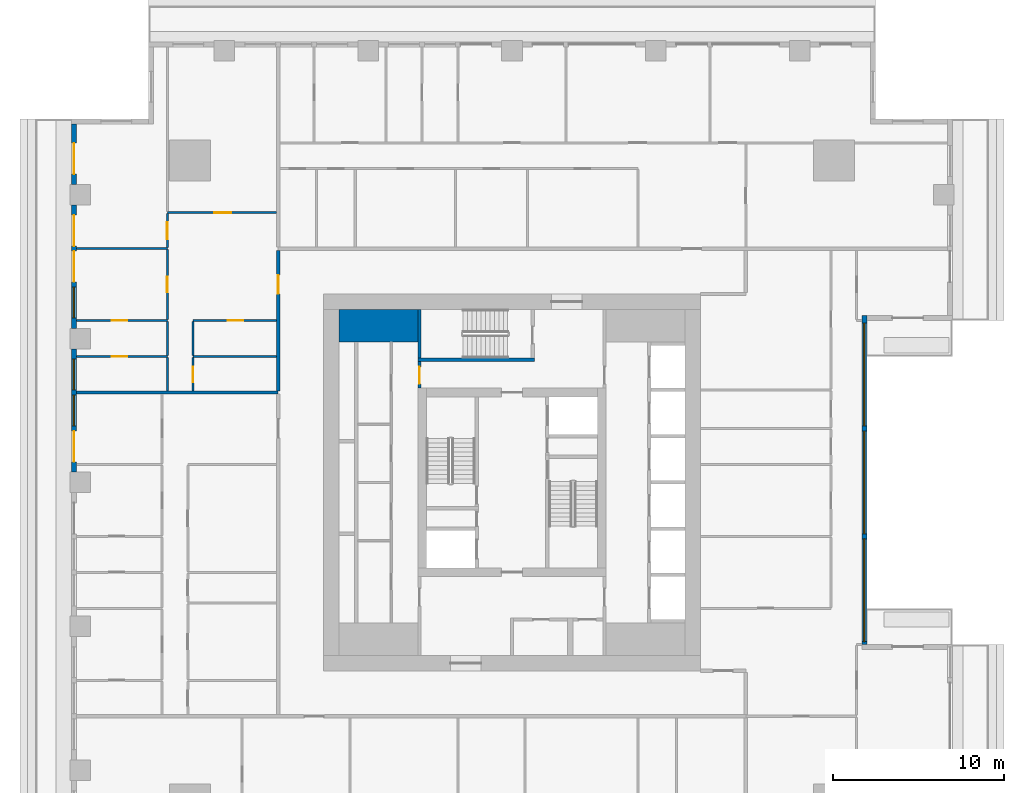
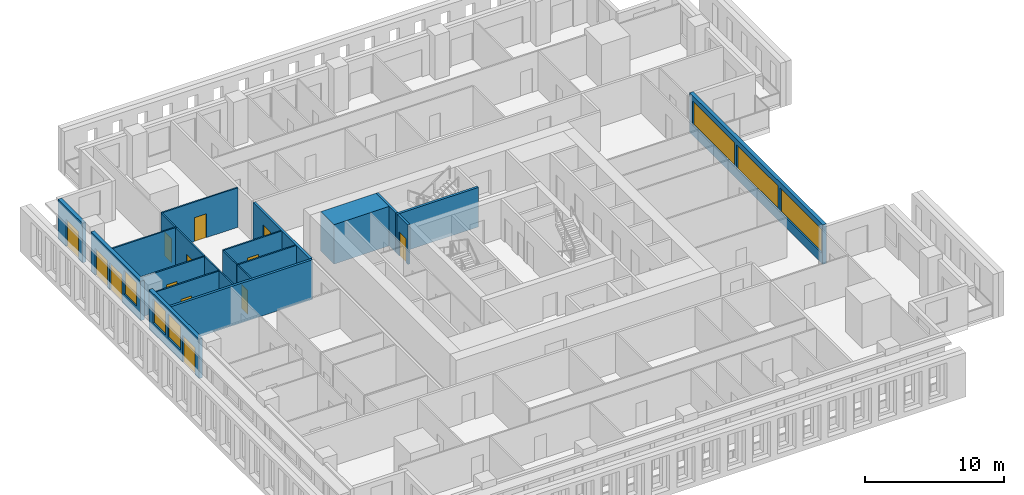
# One storey, part 6 of 15: 22 walls, 13 doors, 6 windows, 19 openings.
"""IFC4 building model written with IfcOpenShell, lengths in metres."""

from ifc_helpers import new_model, si_unit, direction, frame, frame_2d, origin, place, context, subcontext, project, spatial, rectangle, extrude, material, layer, layer_set, type_object, element, fill, save


model = new_model("IFC4")

# Units and contexts
model_context = context("Model", 3, precision=1e-05, world=origin(), true_north=direction((0.0, 1.0)))
body_context = subcontext(model_context, "Body", "Model", "MODEL_VIEW")
ifc_project = project(units=[si_unit("LENGTHUNIT", "METRE"), si_unit("AREAUNIT", "SQUARE_METRE"), si_unit("VOLUMEUNIT", "CUBIC_METRE"), si_unit("PLANEANGLEUNIT", "RADIAN"), si_unit("MASSUNIT", "GRAM", prefix="KILO")], contexts=[model_context])

# Site, building, storey
site_placement = place(None, origin())
site = spatial("IfcSite", under=ifc_project, at=site_placement, CompositionType="ELEMENT")
building_placement = place(site_placement, origin())
building = spatial("IfcBuilding", under=site, at=building_placement, Name="Khepri Terraces", CompositionType="ELEMENT")
storey_placement = place(building_placement, frame((0.0, 0.0, 211.800048828125)))
storey = spatial("IfcBuildingStorey", under=building, at=storey_placement, Name="L50", CompositionType="ELEMENT", Elevation=211.800048828125)

# Walls
ifc_material_1 = material(Name="Concrete C50/60", Category="concrete")
ifc_layer_1 = layer(ifc_material_1, 1.89990234375, Name="Concrete C50/60", Category="concrete")
ifc_layer_set_1 = layer_set([ifc_layer_1], Name="Concrete C50/60")
wall_type_1 = type_object("IfcWallType", Name="Core wall 1900 C50/60", PredefinedType="SHEAR", material=ifc_layer_set_1)
wall_1_placement = place(storey_placement, frame((-10.10009765625, 9.14990234375, 0.0), z_axis=(0.0, 0.0, 1.0), x_axis=(1.0, 0.0, 0.0)))
element("IfcWall", 1, at=wall_1_placement, inside=storey, type_object=wall_type_1, Name="Core wall PR03 L50", PredefinedType="SHEAR", context=body_context, shape_type="SweptSolid", body=[
    extrude(rectangle(XDim=4.60009765625, YDim=1.89990234375, at=frame_2d((2.300048828125, 0.0))), origin(), (0.0, 0.0, 1.0), 3.47998046875),
])
ifc_layer_2 = layer(ifc_material_1, 0.199951171875, Name="Concrete C50/60", Category="concrete")
ifc_layer_set_2 = layer_set([ifc_layer_2], Name="Concrete C50/60")
wall_type_2 = type_object("IfcWallType", Name="Core wall 200 C50/60", PredefinedType="SHEAR", material=ifc_layer_set_2)
wall_2_placement = place(storey_placement, frame((-5.5, 7.14990234375, 0.0), z_axis=(0.0, 0.0, 1.0), x_axis=(1.0, 0.0, 0.0)))
element("IfcWall", 2, at=wall_2_placement, inside=storey, type_object=wall_type_2, Name="Core wall ST05 L50", PredefinedType="SHEAR", context=body_context, shape_type="SweptSolid", body=[
    extrude(rectangle(XDim=6.800048828125, YDim=0.199951171875, at=frame_2d((3.39990234375, 0.0))), origin(), (0.0, 0.0, 1.0), 3.47998046875),
])
wall_3_placement = place(storey_placement, frame((-5.39990234375, 7.25, 0.0), z_axis=(0.0, 0.0, 1.0), x_axis=(0.0, 1.0, 0.0)))
element("IfcWall", 3, at=wall_3_placement, inside=storey, type_object=wall_type_2, Name="Core wall ST06 L50", PredefinedType="SHEAR", context=body_context, shape_type="SweptSolid", body=[
    extrude(rectangle(XDim=2.85009765625, YDim=0.199951171875, at=frame_2d((1.425048828125, 0.0))), origin(), (0.0, 0.0, 1.0), 3.47998046875),
])

# Wall, opening, door
ifc_material_2 = material(Name="Fire-rated gypsum board partition")
ifc_layer_3 = layer(ifc_material_2, 0.199951171875, Name="Fire-rated gypsum board partition")
ifc_layer_set_3 = layer_set([ifc_layer_3], Name="Fire-rated gypsum board partition")
wall_type_3 = type_object("IfcWallType", Name="WL-CORE-PART-200", PredefinedType="PARTITIONING", material=ifc_layer_set_3)
wall_4_placement = place(storey_placement, frame((-5.39990234375, 5.5, 0.0), z_axis=(0.0, 0.0, 1.0), x_axis=(0.0, 1.0, 0.0)))
wall_4 = element("IfcWall", 4, at=wall_4_placement, inside=storey, type_object=wall_type_3, Name="Core partition PT11 L50", PredefinedType="PARTITIONING", context=body_context, shape_type="SweptSolid", body=[
    extrude(rectangle(XDim=1.550048828125, YDim=0.199951171875, at=frame_2d((0.77490234375, 0.0))), origin(), (0.0, 0.0, 1.0), 3.47998046875),
])
opening_1_placement = place(wall_4_placement, frame((0.25, 0.0, 0.0)))
opening_1 = element("IfcOpeningElement", 5, at=opening_1_placement, cuts=wall_4, Name="Opening L50-C16", PredefinedType="OPENING", context=body_context, shape_type="SweptSolid", body=[
    extrude(rectangle(XDim=1.0, YDim=2.10009765625, at=frame_2d((0.5, 1.050048828125))), frame((0.0, 0.10986328125, 0.0), z_axis=(0.0, -1.0, 0.0), x_axis=(1.0, 0.0, 0.0)), (0.0, 0.0, 1.0), 0.219970703125),
])
ifc_material_3 = material(Name="Painted steel", Category="steel")
door_type_1 = type_object("IfcDoorType", Name="DR-CORE-LOBBY-1000", OperationType="NOTDEFINED", PredefinedType="DOOR", material=ifc_material_3)
door_1_placement = place(opening_1_placement, frame((1.0, 0.0, 0.0), z_axis=(0.0, 0.0, 1.0), x_axis=(-1.0, 0.0, 0.0)))
door_1 = element("IfcDoor", 6, at=door_1_placement, inside=storey, type_object=door_type_1, Name="Lobby door L50-C16", OperationType="SINGLE_SWING_RIGHT", OverallHeight=2.10009765625, OverallWidth=1.0, PredefinedType="DOOR", context=body_context, shape_type="SweptSolid", body=[
    extrude(rectangle(XDim=1.0, YDim=2.10009765625, at=frame_2d((0.5, 1.050048828125))), frame((0.0, 0.02490234375, 0.0), z_axis=(0.0, -1.0, 0.0), x_axis=(1.0, 0.0, 0.0)), (0.0, 0.0, 1.0), 0.050048828125),
])
fill(opening_1, door_1)

# Wall
ifc_material_4 = material(Name="Fire-rated gypsum plasterboard partition, mineral wool")
ifc_layer_4 = layer(ifc_material_4, 0.199951171875, Name="Fire-rated gypsum plasterboard partition, mineral wool")
ifc_layer_set_4 = layer_set([ifc_layer_4], Name="Fire-rated gypsum plasterboard partition, mineral wool")
wall_type_4 = type_object("IfcWallType", Name="WL-CORR-200", PredefinedType="PARTITIONING", material=ifc_layer_set_4)
wall_5_placement = place(storey_placement, frame((-25.419921875, 5.25, 0.0), z_axis=(0.0, 0.0, 1.0), x_axis=(1.0, 0.0, 0.0)))
element("IfcWall", 7, at=wall_5_placement, inside=storey, type_object=wall_type_4, Name="Partition P-052 L50", PredefinedType="PARTITIONING", context=body_context, shape_type="SweptSolid", body=[
    extrude(rectangle(XDim=11.77001953125, YDim=0.199951171875, at=frame_2d((5.885009765625, 0.0))), origin(), (0.0, 0.0, 1.0), 3.47998046875),
])

# Wall, opening, door
wall_6_placement = place(storey_placement, frame((-13.64990234375, 5.35009765625, 0.0), z_axis=(0.0, 0.0, 1.0), x_axis=(0.0, 1.0, 0.0)))
wall_6 = element("IfcWall", 8, at=wall_6_placement, inside=storey, type_object=wall_type_4, Name="Partition P-055 L50", PredefinedType="PARTITIONING", context=body_context, shape_type="SweptSolid", body=[
    extrude(rectangle(XDim=8.199951171875, YDim=0.199951171875, at=frame_2d((4.10009765625, 0.0))), origin(), (0.0, 0.0, 1.0), 3.47998046875),
])
opening_2_placement = place(wall_6_placement, frame((5.64990234375, 0.0, 0.0)))
opening_2 = element("IfcOpeningElement", 9, at=opening_2_placement, cuts=wall_6, Name="Opening D1", PredefinedType="OPENING", context=body_context, shape_type="SweptSolid", body=[
    extrude(rectangle(XDim=1.10009765625, YDim=2.39990234375, at=frame_2d((0.550048828125, 1.199951171875))), frame((0.0, 0.10986328125, 0.0), z_axis=(0.0, -1.0, 0.0), x_axis=(1.0, 0.0, 0.0)), (0.0, 0.0, 1.0), 0.219970703125),
])
ifc_material_5 = material(Name="Solid-core timber door leaf, flat entrance door", Category="wood")
door_type_2 = type_object("IfcDoorType", Name="DR-ENT-1100", OperationType="NOTDEFINED", PredefinedType="DOOR", material=ifc_material_5)
door_2_placement = place(opening_2_placement, origin())
door_2 = element("IfcDoor", 10, at=door_2_placement, inside=storey, type_object=door_type_2, Name="Flat D1 entrance door", OperationType="SINGLE_SWING_RIGHT", OverallHeight=2.39990234375, OverallWidth=1.10009765625, PredefinedType="DOOR", context=body_context, shape_type="SweptSolid", body=[
    extrude(rectangle(XDim=1.10009765625, YDim=2.39990234375, at=frame_2d((0.550048828125, 1.199951171875))), frame((0.0, 0.02490234375, 0.0), z_axis=(0.0, -1.0, 0.0), x_axis=(1.0, 0.0, 0.0)), (0.0, 0.0, 1.0), 0.050048828125),
])
fill(opening_2, door_2)

# Wall, openings, windows
ifc_material_6 = material(Name="Precast concrete C50/60 warm stone", Category="masonry")
ifc_layer_5 = layer(ifc_material_6, 0.300048828125, Name="Precast concrete C50/60 warm stone", Category="masonry")
ifc_layer_set_5 = layer_set([ifc_layer_5], Name="Precast concrete C50/60 warm stone")
wall_type_5 = type_object("IfcWallType", Name="WL-EXT-PRECAST-300", PredefinedType="STANDARD", material=ifc_layer_set_5)
wall_7_placement = place(storey_placement, frame((20.570068359375, -9.449951171875, 0.0), z_axis=(0.0, 0.0, 1.0), x_axis=(0.0, 1.0, 0.0)))
wall_7 = element("IfcWall", 11, at=wall_7_placement, inside=storey, type_object=wall_type_5, Name="External wall L50 E", PredefinedType="STANDARD", context=body_context, shape_type="SweptSolid", body=[
    extrude(rectangle(XDim=19.199951171875, YDim=0.300048828125, at=frame_2d((9.60009765625, 0.0))), origin(), (0.0, 0.0, 1.0), 3.47998046875),
])
opening_3_placement = place(wall_7_placement, frame((0.14990234375, 0.0, 0.89990234375)))
opening_3 = element("IfcOpeningElement", 12, at=opening_3_placement, cuts=wall_7, Name="Opening W3", PredefinedType="OPENING", context=body_context, shape_type="SweptSolid", body=[
    extrude(rectangle(XDim=6.0, YDim=2.10009765625, at=frame_2d((3.0, 1.050048828125))), frame((0.0, 0.16015625, 0.0), z_axis=(0.0, -1.0, 0.0), x_axis=(1.0, 0.0, 0.0)), (0.0, 0.0, 1.0), 0.320068359375),
])
opening_4_placement = place(wall_7_placement, frame((6.449951171875, 0.0, 0.89990234375)))
opening_4 = element("IfcOpeningElement", 13, at=opening_4_placement, cuts=wall_7, Name="Opening W3", PredefinedType="OPENING", context=body_context, shape_type="SweptSolid", body=[
    extrude(rectangle(XDim=6.0, YDim=2.10009765625, at=frame_2d((3.0, 1.050048828125))), frame((0.0, 0.16015625, 0.0), z_axis=(0.0, -1.0, 0.0), x_axis=(1.0, 0.0, 0.0)), (0.0, 0.0, 1.0), 0.320068359375),
])
opening_5_placement = place(wall_7_placement, frame((12.75, 0.0, 0.89990234375)))
opening_5 = element("IfcOpeningElement", 14, at=opening_5_placement, cuts=wall_7, Name="Opening W3", PredefinedType="OPENING", context=body_context, shape_type="SweptSolid", body=[
    extrude(rectangle(XDim=6.0, YDim=2.10009765625, at=frame_2d((3.0, 1.050048828125))), frame((0.0, 0.16015625, 0.0), z_axis=(0.0, -1.0, 0.0), x_axis=(1.0, 0.0, 0.0)), (0.0, 0.0, 1.0), 0.320068359375),
])
ifc_material_7 = material(Name="Clear glass", Category="glass")
window_type_1 = type_object("IfcWindowType", Name="WIN-RES-6000x2100", PartitioningType="SINGLE_PANEL", PredefinedType="WINDOW", material=ifc_material_7)
window_1_placement = place(opening_3_placement, origin())
window_1 = element("IfcWindow", 15, at=window_1_placement, inside=storey, type_object=window_type_1, Name="Window L50 E", OverallHeight=2.10009765625, OverallWidth=6.0, PartitioningType="SINGLE_PANEL", PredefinedType="WINDOW", context=body_context, shape_type="SweptSolid", body=[
    extrude(rectangle(XDim=6.0, YDim=2.10009765625, at=frame_2d((3.0, 1.050048828125))), frame((0.0, 0.030029296875, 0.0), z_axis=(0.0, -1.0, 0.0), x_axis=(1.0, 0.0, 0.0)), (0.0, 0.0, 1.0), 0.06005859375),
])
fill(opening_3, window_1)
window_2_placement = place(opening_4_placement, origin())
window_2 = element("IfcWindow", 16, at=window_2_placement, inside=storey, type_object=window_type_1, Name="Window L50 E", OverallHeight=2.10009765625, OverallWidth=6.0, PartitioningType="SINGLE_PANEL", PredefinedType="WINDOW", context=body_context, shape_type="SweptSolid", body=[
    extrude(rectangle(XDim=6.0, YDim=2.10009765625, at=frame_2d((3.0, 1.050048828125))), frame((0.0, 0.030029296875, 0.0), z_axis=(0.0, -1.0, 0.0), x_axis=(1.0, 0.0, 0.0)), (0.0, 0.0, 1.0), 0.06005859375),
])
fill(opening_4, window_2)
window_3_placement = place(opening_5_placement, origin())
window_3 = element("IfcWindow", 17, at=window_3_placement, inside=storey, type_object=window_type_1, Name="Window L50 E", OverallHeight=2.10009765625, OverallWidth=6.0, PartitioningType="SINGLE_PANEL", PredefinedType="WINDOW", context=body_context, shape_type="SweptSolid", body=[
    extrude(rectangle(XDim=6.0, YDim=2.10009765625, at=frame_2d((3.0, 1.050048828125))), frame((0.0, 0.030029296875, 0.0), z_axis=(0.0, -1.0, 0.0), x_axis=(1.0, 0.0, 0.0)), (0.0, 0.0, 1.0), 0.06005859375),
])
fill(opening_5, window_3)

# Wall, opening, door
wall_8_placement = place(storey_placement, frame((-25.570068359375, 20.919921875, 0.0), z_axis=(0.0, 0.0, 1.0), x_axis=(0.0, -1.0, 0.0)))
wall_8 = element("IfcWall", 18, at=wall_8_placement, inside=storey, type_object=wall_type_5, Name="External wall L50 W", PredefinedType="STANDARD", context=body_context, shape_type="SweptSolid", body=[
    extrude(rectangle(XDim=3.52001953125, YDim=0.300048828125, at=frame_2d((1.760009765625, 0.0))), origin(), (0.0, 0.0, 1.0), 3.47998046875),
])
opening_6_placement = place(wall_8_placement, frame((1.1201171875, 0.0, 0.0)))
opening_6 = element("IfcOpeningElement", 19, at=opening_6_placement, cuts=wall_8, Name="Opening ED-L50-12", PredefinedType="OPENING", context=body_context, shape_type="SweptSolid", body=[
    extrude(rectangle(XDim=1.800048828125, YDim=2.39990234375, at=frame_2d((0.89990234375, 1.199951171875))), frame((0.0, 0.16015625, 0.0), z_axis=(0.0, -1.0, 0.0), x_axis=(1.0, 0.0, 0.0)), (0.0, 0.0, 1.0), 0.320068359375),
])
ifc_material_8 = material(Name="Anodised aluminium bronze glazed door", Category="aluminium")
door_type_3 = type_object("IfcDoorType", Name="DR-BAL-SLIDE-1800x2400", OperationType="NOTDEFINED", PredefinedType="DOOR", material=ifc_material_8)
door_3_placement = place(opening_6_placement, origin())
door_3 = element("IfcDoor", 20, at=door_3_placement, inside=storey, type_object=door_type_3, Name="Balcony door L50 W", OperationType="SLIDING_TO_RIGHT", OverallHeight=2.39990234375, OverallWidth=1.800048828125, PredefinedType="DOOR", context=body_context, shape_type="SweptSolid", body=[
    extrude(rectangle(XDim=1.800048828125, YDim=2.39990234375, at=frame_2d((0.89990234375, 1.199951171875))), frame((0.0, 0.02490234375, 0.0), z_axis=(0.0, -1.0, 0.0), x_axis=(1.0, 0.0, 0.0)), (0.0, 0.0, 1.0), 0.050048828125),
])
fill(opening_6, door_3)

# Wall, openings, doors, window
wall_9_placement = place(storey_placement, frame((-25.570068359375, 16.199951171875, 0.0), z_axis=(0.0, 0.0, 1.0), x_axis=(0.0, -1.0, 0.0)))
wall_9 = element("IfcWall", 21, at=wall_9_placement, inside=storey, type_object=wall_type_5, Name="External wall L50 W", PredefinedType="STANDARD", context=body_context, shape_type="SweptSolid", body=[
    extrude(rectangle(XDim=7.199951171875, YDim=0.300048828125, at=frame_2d((3.60009765625, 0.0))), origin(), (0.0, 0.0, 1.0), 3.47998046875),
])
opening_7_placement = place(wall_9_placement, frame((0.60009765625, 0.0, 0.0)))
opening_7 = element("IfcOpeningElement", 22, at=opening_7_placement, cuts=wall_9, Name="Opening ED-L50-13", PredefinedType="OPENING", context=body_context, shape_type="SweptSolid", body=[
    extrude(rectangle(XDim=1.800048828125, YDim=2.39990234375, at=frame_2d((0.89990234375, 1.199951171875))), frame((0.0, 0.16015625, 0.0), z_axis=(0.0, -1.0, 0.0), x_axis=(1.0, 0.0, 0.0)), (0.0, 0.0, 1.0), 0.320068359375),
])
opening_8_placement = place(wall_9_placement, frame((2.699951171875, 0.0, 0.0)))
opening_8 = element("IfcOpeningElement", 23, at=opening_8_placement, cuts=wall_9, Name="Opening ED-L50-14", PredefinedType="OPENING", context=body_context, shape_type="SweptSolid", body=[
    extrude(rectangle(XDim=1.800048828125, YDim=2.39990234375, at=frame_2d((0.89990234375, 1.199951171875))), frame((0.0, 0.16015625, 0.0), z_axis=(0.0, -1.0, 0.0), x_axis=(1.0, 0.0, 0.0)), (0.0, 0.0, 1.0), 0.320068359375),
])
opening_9_placement = place(wall_9_placement, frame((4.800048828125, 0.0, 0.89990234375)))
opening_9 = element("IfcOpeningElement", 24, at=opening_9_placement, cuts=wall_9, Name="Opening W1", PredefinedType="OPENING", context=body_context, shape_type="SweptSolid", body=[
    extrude(rectangle(XDim=1.800048828125, YDim=2.10009765625, at=frame_2d((0.89990234375, 1.050048828125))), frame((0.0, 0.16015625, 0.0), z_axis=(0.0, -1.0, 0.0), x_axis=(1.0, 0.0, 0.0)), (0.0, 0.0, 1.0), 0.320068359375),
])
door_4_placement = place(opening_7_placement, origin())
door_4 = element("IfcDoor", 25, at=door_4_placement, inside=storey, type_object=door_type_3, Name="Balcony door L50 W", OperationType="SLIDING_TO_LEFT", OverallHeight=2.39990234375, OverallWidth=1.800048828125, PredefinedType="DOOR", context=body_context, shape_type="SweptSolid", body=[
    extrude(rectangle(XDim=1.800048828125, YDim=2.39990234375, at=frame_2d((0.89990234375, 1.199951171875))), frame((0.0, 0.02490234375, 0.0), z_axis=(0.0, -1.0, 0.0), x_axis=(1.0, 0.0, 0.0)), (0.0, 0.0, 1.0), 0.050048828125),
])
fill(opening_7, door_4)
door_5_placement = place(opening_8_placement, origin())
door_5 = element("IfcDoor", 26, at=door_5_placement, inside=storey, type_object=door_type_3, Name="Balcony door L50 W", OperationType="SLIDING_TO_RIGHT", OverallHeight=2.39990234375, OverallWidth=1.800048828125, PredefinedType="DOOR", context=body_context, shape_type="SweptSolid", body=[
    extrude(rectangle(XDim=1.800048828125, YDim=2.39990234375, at=frame_2d((0.89990234375, 1.199951171875))), frame((0.0, 0.02490234375, 0.0), z_axis=(0.0, -1.0, 0.0), x_axis=(1.0, 0.0, 0.0)), (0.0, 0.0, 1.0), 0.050048828125),
])
fill(opening_8, door_5)
window_type_2 = type_object("IfcWindowType", Name="WIN-RES-1800x2100", PartitioningType="SINGLE_PANEL", PredefinedType="WINDOW", material=ifc_material_7)
window_4_placement = place(opening_9_placement, origin())
window_4 = element("IfcWindow", 27, at=window_4_placement, inside=storey, type_object=window_type_2, Name="Window L50 W", OverallHeight=2.10009765625, OverallWidth=1.800048828125, PartitioningType="SINGLE_PANEL", PredefinedType="WINDOW", context=body_context, shape_type="SweptSolid", body=[
    extrude(rectangle(XDim=1.800048828125, YDim=2.10009765625, at=frame_2d((0.89990234375, 1.050048828125))), frame((0.0, 0.030029296875, 0.0), z_axis=(0.0, -1.0, 0.0), x_axis=(1.0, 0.0, 0.0)), (0.0, 0.0, 1.0), 0.06005859375),
])
fill(opening_9, window_4)

# Wall, openings, door, windows
wall_10_placement = place(storey_placement, frame((-25.570068359375, 7.800048828125, 0.0), z_axis=(0.0, 0.0, 1.0), x_axis=(0.0, -1.0, 0.0)))
wall_10 = element("IfcWall", 28, at=wall_10_placement, inside=storey, type_object=wall_type_5, Name="External wall L50 W", PredefinedType="STANDARD", context=body_context, shape_type="SweptSolid", body=[
    extrude(rectangle(XDim=7.199951171875, YDim=0.300048828125, at=frame_2d((3.60009765625, 0.0))), origin(), (0.0, 0.0, 1.0), 3.47998046875),
])
opening_10_placement = place(wall_10_placement, frame((0.60009765625, 0.0, 0.89990234375)))
opening_10 = element("IfcOpeningElement", 29, at=opening_10_placement, cuts=wall_10, Name="Opening W1", PredefinedType="OPENING", context=body_context, shape_type="SweptSolid", body=[
    extrude(rectangle(XDim=1.800048828125, YDim=2.10009765625, at=frame_2d((0.89990234375, 1.050048828125))), frame((0.0, 0.16015625, 0.0), z_axis=(0.0, -1.0, 0.0), x_axis=(1.0, 0.0, 0.0)), (0.0, 0.0, 1.0), 0.320068359375),
])
opening_11_placement = place(wall_10_placement, frame((2.699951171875, 0.0, 0.89990234375)))
opening_11 = element("IfcOpeningElement", 30, at=opening_11_placement, cuts=wall_10, Name="Opening W1", PredefinedType="OPENING", context=body_context, shape_type="SweptSolid", body=[
    extrude(rectangle(XDim=1.800048828125, YDim=2.10009765625, at=frame_2d((0.89990234375, 1.050048828125))), frame((0.0, 0.16015625, 0.0), z_axis=(0.0, -1.0, 0.0), x_axis=(1.0, 0.0, 0.0)), (0.0, 0.0, 1.0), 0.320068359375),
])
opening_12_placement = place(wall_10_placement, frame((4.800048828125, 0.0, 0.0)))
opening_12 = element("IfcOpeningElement", 31, at=opening_12_placement, cuts=wall_10, Name="Opening ED-L50-15", PredefinedType="OPENING", context=body_context, shape_type="SweptSolid", body=[
    extrude(rectangle(XDim=1.800048828125, YDim=2.39990234375, at=frame_2d((0.89990234375, 1.199951171875))), frame((0.0, 0.16015625, 0.0), z_axis=(0.0, -1.0, 0.0), x_axis=(1.0, 0.0, 0.0)), (0.0, 0.0, 1.0), 0.320068359375),
])
door_6_placement = place(opening_12_placement, origin())
door_6 = element("IfcDoor", 32, at=door_6_placement, inside=storey, type_object=door_type_3, Name="Balcony door L50 W", OperationType="SLIDING_TO_RIGHT", OverallHeight=2.39990234375, OverallWidth=1.800048828125, PredefinedType="DOOR", context=body_context, shape_type="SweptSolid", body=[
    extrude(rectangle(XDim=1.800048828125, YDim=2.39990234375, at=frame_2d((0.89990234375, 1.199951171875))), frame((0.0, 0.02490234375, 0.0), z_axis=(0.0, -1.0, 0.0), x_axis=(1.0, 0.0, 0.0)), (0.0, 0.0, 1.0), 0.050048828125),
])
fill(opening_12, door_6)
window_5_placement = place(opening_10_placement, origin())
window_5 = element("IfcWindow", 33, at=window_5_placement, inside=storey, type_object=window_type_2, Name="Window L50 W", OverallHeight=2.10009765625, OverallWidth=1.800048828125, PartitioningType="SINGLE_PANEL", PredefinedType="WINDOW", context=body_context, shape_type="SweptSolid", body=[
    extrude(rectangle(XDim=1.800048828125, YDim=2.10009765625, at=frame_2d((0.89990234375, 1.050048828125))), frame((0.0, 0.030029296875, 0.0), z_axis=(0.0, -1.0, 0.0), x_axis=(1.0, 0.0, 0.0)), (0.0, 0.0, 1.0), 0.06005859375),
])
fill(opening_10, window_5)
window_6_placement = place(opening_11_placement, origin())
window_6 = element("IfcWindow", 34, at=window_6_placement, inside=storey, type_object=window_type_2, Name="Window L50 W", OverallHeight=2.10009765625, OverallWidth=1.800048828125, PartitioningType="SINGLE_PANEL", PredefinedType="WINDOW", context=body_context, shape_type="SweptSolid", body=[
    extrude(rectangle(XDim=1.800048828125, YDim=2.10009765625, at=frame_2d((0.89990234375, 1.050048828125))), frame((0.0, 0.030029296875, 0.0), z_axis=(0.0, -1.0, 0.0), x_axis=(1.0, 0.0, 0.0)), (0.0, 0.0, 1.0), 0.06005859375),
])
fill(opening_11, window_6)

# Wall
ifc_material_9 = material(Name="Gypsum plasterboard partition")
ifc_layer_6 = layer(ifc_material_9, 0.1201171875, Name="Gypsum plasterboard partition")
ifc_layer_set_6 = layer_set([ifc_layer_6], Name="Gypsum plasterboard partition")
wall_type_6 = type_object("IfcWallType", Name="WL-PART-120", PredefinedType="PARTITIONING", material=ifc_layer_set_6)
wall_11_placement = place(storey_placement, frame((-20.1201171875, 5.35009765625, 0.0), z_axis=(0.0, 0.0, 1.0), x_axis=(0.0, 1.0, 0.0)))
element("IfcWall", 35, at=wall_11_placement, inside=storey, type_object=wall_type_6, Name="Partition P-053 L50", PredefinedType="PARTITIONING", context=body_context, shape_type="SweptSolid", body=[
    extrude(rectangle(XDim=1.93994140625, YDim=0.1201171875, at=frame_2d((0.969970703125, 0.0))), origin(), (0.0, 0.0, 1.0), 3.47998046875),
])

# Wall, opening, door
wall_12_placement = place(storey_placement, frame((-18.6201171875, 5.35009765625, 0.0), z_axis=(0.0, 0.0, 1.0), x_axis=(0.0, 1.0, 0.0)))
wall_12 = element("IfcWall", 36, at=wall_12_placement, inside=storey, type_object=wall_type_6, Name="Partition P-054 L50", PredefinedType="PARTITIONING", context=body_context, shape_type="SweptSolid", body=[
    extrude(rectangle(XDim=1.93994140625, YDim=0.1201171875, at=frame_2d((0.969970703125, 0.0))), origin(), (0.0, 0.0, 1.0), 3.47998046875),
])
opening_13_placement = place(wall_12_placement, frame((0.5, 0.0, 0.0)))
opening_13 = element("IfcOpeningElement", 37, at=opening_13_placement, cuts=wall_12, Name="Opening D3", PredefinedType="OPENING", context=body_context, shape_type="SweptSolid", body=[
    extrude(rectangle(XDim=0.89990234375, YDim=2.10009765625, at=frame_2d((0.449951171875, 1.050048828125))), frame((0.0, 0.070068359375, 0.0), z_axis=(0.0, -1.0, 0.0), x_axis=(1.0, 0.0, 0.0)), (0.0, 0.0, 1.0), 0.14013671875),
])
ifc_material_10 = material(Name="Timber door leaf", Category="wood")
door_type_4 = type_object("IfcDoorType", Name="DR-INT-900", OperationType="NOTDEFINED", PredefinedType="DOOR", material=ifc_material_10)
door_7_placement = place(opening_13_placement, frame((0.89990234375, 0.0, 0.0), z_axis=(0.0, 0.0, 1.0), x_axis=(-1.0, 0.0, 0.0)))
door_7 = element("IfcDoor", 38, at=door_7_placement, inside=storey, type_object=door_type_4, Name="Door Kitchen", OperationType="SINGLE_SWING_RIGHT", OverallHeight=2.10009765625, OverallWidth=0.89990234375, PredefinedType="DOOR", context=body_context, shape_type="SweptSolid", body=[
    extrude(rectangle(XDim=0.89990234375, YDim=2.10009765625, at=frame_2d((0.449951171875, 1.050048828125))), frame((0.0, 0.02490234375, 0.0), z_axis=(0.0, -1.0, 0.0), x_axis=(1.0, 0.0, 0.0)), (0.0, 0.0, 1.0), 0.050048828125),
])
fill(opening_13, door_7)

wall_13_placement = place(storey_placement, frame((-25.419921875, 7.35009765625, 0.0), z_axis=(0.0, 0.0, 1.0), x_axis=(1.0, 0.0, 0.0)))
wall_13 = element("IfcWall", 39, at=wall_13_placement, inside=storey, type_object=wall_type_6, Name="Partition P-058 L50", PredefinedType="PARTITIONING", context=body_context, shape_type="SweptSolid", body=[
    extrude(rectangle(XDim=5.2998046875, YDim=0.1201171875, at=frame_2d((2.64990234375, 0.0))), origin(), (0.0, 0.0, 1.0), 3.47998046875),
])
opening_14_placement = place(wall_13_placement, frame((2.050048828125, 0.0, 0.0)))
opening_14 = element("IfcOpeningElement", 40, at=opening_14_placement, cuts=wall_13, Name="Opening D4", PredefinedType="OPENING", context=body_context, shape_type="SweptSolid", body=[
    extrude(rectangle(XDim=0.89990234375, YDim=2.10009765625, at=frame_2d((0.449951171875, 1.050048828125))), frame((0.0, 0.070068359375, 0.0), z_axis=(0.0, -1.0, 0.0), x_axis=(1.0, 0.0, 0.0)), (0.0, 0.0, 1.0), 0.14013671875),
])
ifc_material_11 = material(Name="Timber door leaf, moisture resistant", Category="wood")
door_type_5 = type_object("IfcDoorType", Name="DR-WET-900", OperationType="NOTDEFINED", PredefinedType="DOOR", material=ifc_material_11)
door_8_placement = place(opening_14_placement, frame((0.89990234375, 0.0, 0.0), z_axis=(0.0, 0.0, 1.0), x_axis=(-1.0, 0.0, 0.0)))
door_8 = element("IfcDoor", 41, at=door_8_placement, inside=storey, type_object=door_type_5, Name="Door Bathroom", OperationType="SINGLE_SWING_RIGHT", OverallHeight=2.10009765625, OverallWidth=0.89990234375, PredefinedType="DOOR", context=body_context, shape_type="SweptSolid", body=[
    extrude(rectangle(XDim=0.89990234375, YDim=2.10009765625, at=frame_2d((0.449951171875, 1.050048828125))), frame((0.0, 0.02490234375, 0.0), z_axis=(0.0, -1.0, 0.0), x_axis=(1.0, 0.0, 0.0)), (0.0, 0.0, 1.0), 0.050048828125),
])
fill(opening_14, door_8)

# Walls
wall_14_placement = place(storey_placement, frame((-18.6201171875, 7.35009765625, 0.0), z_axis=(0.0, 0.0, 1.0), x_axis=(1.0, 0.0, 0.0)))
element("IfcWall", 42, at=wall_14_placement, inside=storey, type_object=wall_type_6, Name="Partition P-059 L50", PredefinedType="PARTITIONING", context=body_context, shape_type="SweptSolid", body=[
    extrude(rectangle(XDim=4.8701171875, YDim=0.1201171875, at=frame_2d((2.43505859375, 0.0))), origin(), (0.0, 0.0, 1.0), 3.47998046875),
])
for number, where, z_axis, x_axis, name in (
    (43, (-20.1201171875, 7.409912109375, 0.0), (0.0, 0.0, 1.0), (0.0, 1.0, 0.0), "Partition P-060 L50"),
    (44, (-18.6201171875, 7.409912109375, 0.0), (0.0, 0.0, 1.0), (0.0, 1.0, 0.0), "Partition P-061 L50"),
):
    element("IfcWall", number, at=place(storey_placement, frame(where, z_axis=z_axis, x_axis=x_axis)), inside=storey, type_object=wall_type_6, Name=name, PredefinedType="PARTITIONING", context=body_context, shape_type="SweptSolid", body=[
        extrude(rectangle(XDim=1.97998046875, YDim=0.1201171875, at=frame_2d((0.989990234375, 0.0))), origin(), (0.0, 0.0, 1.0), 3.47998046875),
    ])

# Wall, opening, door
wall_15_placement = place(storey_placement, frame((-25.419921875, 9.449951171875, 0.0), z_axis=(0.0, 0.0, 1.0), x_axis=(1.0, 0.0, 0.0)))
wall_15 = element("IfcWall", 45, at=wall_15_placement, inside=storey, type_object=wall_type_6, Name="Partition P-062 L50", PredefinedType="PARTITIONING", context=body_context, shape_type="SweptSolid", body=[
    extrude(rectangle(XDim=5.2998046875, YDim=0.1201171875, at=frame_2d((2.64990234375, 0.0))), origin(), (0.0, 0.0, 1.0), 3.47998046875),
])
opening_15_placement = place(wall_15_placement, frame((2.050048828125, 0.0, 0.0)))
opening_15 = element("IfcOpeningElement", 46, at=opening_15_placement, cuts=wall_15, Name="Opening D3", PredefinedType="OPENING", context=body_context, shape_type="SweptSolid", body=[
    extrude(rectangle(XDim=0.89990234375, YDim=2.10009765625, at=frame_2d((0.449951171875, 1.050048828125))), frame((0.0, 0.070068359375, 0.0), z_axis=(0.0, -1.0, 0.0), x_axis=(1.0, 0.0, 0.0)), (0.0, 0.0, 1.0), 0.14013671875),
])
door_9_placement = place(opening_15_placement, frame((0.89990234375, 0.0, 0.0), z_axis=(0.0, 0.0, 1.0), x_axis=(-1.0, 0.0, 0.0)))
door_9 = element("IfcDoor", 47, at=door_9_placement, inside=storey, type_object=door_type_4, Name="Door Dressing Room", OperationType="SINGLE_SWING_RIGHT", OverallHeight=2.10009765625, OverallWidth=0.89990234375, PredefinedType="DOOR", context=body_context, shape_type="SweptSolid", body=[
    extrude(rectangle(XDim=0.89990234375, YDim=2.10009765625, at=frame_2d((0.449951171875, 1.050048828125))), frame((0.0, 0.02490234375, 0.0), z_axis=(0.0, -1.0, 0.0), x_axis=(1.0, 0.0, 0.0)), (0.0, 0.0, 1.0), 0.050048828125),
])
fill(opening_15, door_9)

wall_16_placement = place(storey_placement, frame((-18.6201171875, 9.449951171875, 0.0), z_axis=(0.0, 0.0, 1.0), x_axis=(1.0, 0.0, 0.0)))
wall_16 = element("IfcWall", 48, at=wall_16_placement, inside=storey, type_object=wall_type_6, Name="Partition P-063 L50", PredefinedType="PARTITIONING", context=body_context, shape_type="SweptSolid", body=[
    extrude(rectangle(XDim=4.8701171875, YDim=0.1201171875, at=frame_2d((2.43505859375, 0.0))), origin(), (0.0, 0.0, 1.0), 3.47998046875),
])
opening_16_placement = place(wall_16_placement, frame((2.034912109375, 0.0, 0.0)))
opening_16 = element("IfcOpeningElement", 49, at=opening_16_placement, cuts=wall_16, Name="Opening D4", PredefinedType="OPENING", context=body_context, shape_type="SweptSolid", body=[
    extrude(rectangle(XDim=0.89990234375, YDim=2.10009765625, at=frame_2d((0.449951171875, 1.050048828125))), frame((0.0, 0.070068359375, 0.0), z_axis=(0.0, -1.0, 0.0), x_axis=(1.0, 0.0, 0.0)), (0.0, 0.0, 1.0), 0.14013671875),
])
door_10_placement = place(opening_16_placement, frame((0.89990234375, 0.0, 0.0), z_axis=(0.0, 0.0, 1.0), x_axis=(-1.0, 0.0, 0.0)))
door_10 = element("IfcDoor", 50, at=door_10_placement, inside=storey, type_object=door_type_5, Name="Door Guest Bathroom", OperationType="SINGLE_SWING_LEFT", OverallHeight=2.10009765625, OverallWidth=0.89990234375, PredefinedType="DOOR", context=body_context, shape_type="SweptSolid", body=[
    extrude(rectangle(XDim=0.89990234375, YDim=2.10009765625, at=frame_2d((0.449951171875, 1.050048828125))), frame((0.0, 0.02490234375, 0.0), z_axis=(0.0, -1.0, 0.0), x_axis=(1.0, 0.0, 0.0)), (0.0, 0.0, 1.0), 0.050048828125),
])
fill(opening_16, door_10)

wall_17_placement = place(storey_placement, frame((-20.1201171875, 9.510009765625, 0.0), z_axis=(0.0, 0.0, 1.0), x_axis=(0.0, 1.0, 0.0)))
wall_17 = element("IfcWall", 51, at=wall_17_placement, inside=storey, type_object=wall_type_6, Name="Partition P-065 L50", PredefinedType="PARTITIONING", context=body_context, shape_type="SweptSolid", body=[
    extrude(rectangle(XDim=4.080078125, YDim=0.1201171875, at=frame_2d((2.0400390625, 0.0))), origin(), (0.0, 0.0, 1.0), 3.47998046875),
])
opening_17_placement = place(wall_17_placement, frame((1.590087890625, 0.0, 0.0)))
opening_17 = element("IfcOpeningElement", 52, at=opening_17_placement, cuts=wall_17, Name="Opening D3", PredefinedType="OPENING", context=body_context, shape_type="SweptSolid", body=[
    extrude(rectangle(XDim=0.89990234375, YDim=2.10009765625, at=frame_2d((0.449951171875, 1.050048828125))), frame((0.0, 0.070068359375, 0.0), z_axis=(0.0, -1.0, 0.0), x_axis=(1.0, 0.0, 0.0)), (0.0, 0.0, 1.0), 0.14013671875),
])
door_11_placement = place(opening_17_placement, origin())
door_11 = element("IfcDoor", 53, at=door_11_placement, inside=storey, type_object=door_type_4, Name="Door Master Bedroom", OperationType="SINGLE_SWING_RIGHT", OverallHeight=2.10009765625, OverallWidth=0.89990234375, PredefinedType="DOOR", context=body_context, shape_type="SweptSolid", body=[
    extrude(rectangle(XDim=0.89990234375, YDim=2.10009765625, at=frame_2d((0.449951171875, 1.050048828125))), frame((0.0, 0.02490234375, 0.0), z_axis=(0.0, -1.0, 0.0), x_axis=(1.0, 0.0, 0.0)), (0.0, 0.0, 1.0), 0.050048828125),
])
fill(opening_17, door_11)

# Wall
wall_18_placement = place(storey_placement, frame((-25.419921875, 13.64990234375, 0.0), z_axis=(0.0, 0.0, 1.0), x_axis=(1.0, 0.0, 0.0)))
element("IfcWall", 54, at=wall_18_placement, inside=storey, type_object=wall_type_6, Name="Partition P-069 L50", PredefinedType="PARTITIONING", context=body_context, shape_type="SweptSolid", body=[
    extrude(rectangle(XDim=5.2998046875, YDim=0.1201171875, at=frame_2d((2.64990234375, 0.0))), origin(), (0.0, 0.0, 1.0), 3.47998046875),
])

# Wall, opening, door
wall_19_placement = place(storey_placement, frame((-20.1201171875, 13.7099609375, 0.0), z_axis=(0.0, 0.0, 1.0), x_axis=(0.0, 1.0, 0.0)))
wall_19 = element("IfcWall", 55, at=wall_19_placement, inside=storey, type_object=wall_type_6, Name="Partition P-071 L50", PredefinedType="PARTITIONING", context=body_context, shape_type="SweptSolid", body=[
    extrude(rectangle(XDim=1.97998046875, YDim=0.1201171875, at=frame_2d((0.989990234375, 0.0))), origin(), (0.0, 0.0, 1.0), 3.47998046875),
])
opening_18_placement = place(wall_19_placement, frame((0.489990234375, 0.0, 0.0)))
opening_18 = element("IfcOpeningElement", 56, at=opening_18_placement, cuts=wall_19, Name="Opening D2", PredefinedType="OPENING", context=body_context, shape_type="SweptSolid", body=[
    extrude(rectangle(XDim=1.0, YDim=2.10009765625, at=frame_2d((0.5, 1.050048828125))), frame((0.0, 0.070068359375, 0.0), z_axis=(0.0, -1.0, 0.0), x_axis=(1.0, 0.0, 0.0)), (0.0, 0.0, 1.0), 0.14013671875),
])
ifc_material_12 = material(Name="Timber door leaf, living room door", Category="wood")
door_type_6 = type_object("IfcDoorType", Name="DR-INT-1000", OperationType="NOTDEFINED", PredefinedType="DOOR", material=ifc_material_12)
door_12_placement = place(opening_18_placement, origin())
door_12 = element("IfcDoor", 57, at=door_12_placement, inside=storey, type_object=door_type_6, Name="Door Living Room", OperationType="SINGLE_SWING_LEFT", OverallHeight=2.10009765625, OverallWidth=1.0, PredefinedType="DOOR", context=body_context, shape_type="SweptSolid", body=[
    extrude(rectangle(XDim=1.0, YDim=2.10009765625, at=frame_2d((0.5, 1.050048828125))), frame((0.0, 0.02490234375, 0.0), z_axis=(0.0, -1.0, 0.0), x_axis=(1.0, 0.0, 0.0)), (0.0, 0.0, 1.0), 0.050048828125),
])
fill(opening_18, door_12)

wall_20_placement = place(storey_placement, frame((-20.1201171875, 15.75, 0.0), z_axis=(0.0, 0.0, 1.0), x_axis=(1.0, 0.0, 0.0)))
wall_20 = element("IfcWall", 58, at=wall_20_placement, inside=storey, type_object=wall_type_6, Name="Partition P-079 L50", PredefinedType="PARTITIONING", context=body_context, shape_type="SweptSolid", body=[
    extrude(rectangle(XDim=6.3701171875, YDim=0.1201171875, at=frame_2d((3.18505859375, 0.0))), origin(), (0.0, 0.0, 1.0), 3.47998046875),
])
opening_19_placement = place(wall_20_placement, frame((2.735107421875, 0.0, 0.0)))
opening_19 = element("IfcOpeningElement", 59, at=opening_19_placement, cuts=wall_20, Name="Opening D2", PredefinedType="OPENING", context=body_context, shape_type="SweptSolid", body=[
    extrude(rectangle(XDim=1.0, YDim=2.10009765625, at=frame_2d((0.5, 1.050048828125))), frame((0.0, 0.070068359375, 0.0), z_axis=(0.0, -1.0, 0.0), x_axis=(1.0, 0.0, 0.0)), (0.0, 0.0, 1.0), 0.14013671875),
])
door_13_placement = place(opening_19_placement, origin())
door_13 = element("IfcDoor", 60, at=door_13_placement, inside=storey, type_object=door_type_6, Name="Door Family Room", OperationType="SINGLE_SWING_RIGHT", OverallHeight=2.10009765625, OverallWidth=1.0, PredefinedType="DOOR", context=body_context, shape_type="SweptSolid", body=[
    extrude(rectangle(XDim=1.0, YDim=2.10009765625, at=frame_2d((0.5, 1.050048828125))), frame((0.0, 0.02490234375, 0.0), z_axis=(0.0, -1.0, 0.0), x_axis=(1.0, 0.0, 0.0)), (0.0, 0.0, 1.0), 0.050048828125),
])
fill(opening_19, door_13)

save(model, "model.ifc")
